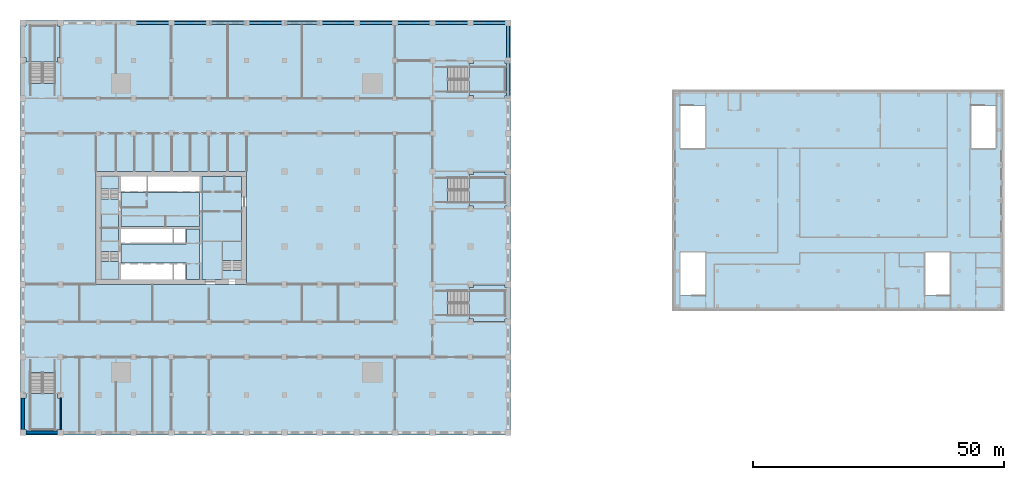
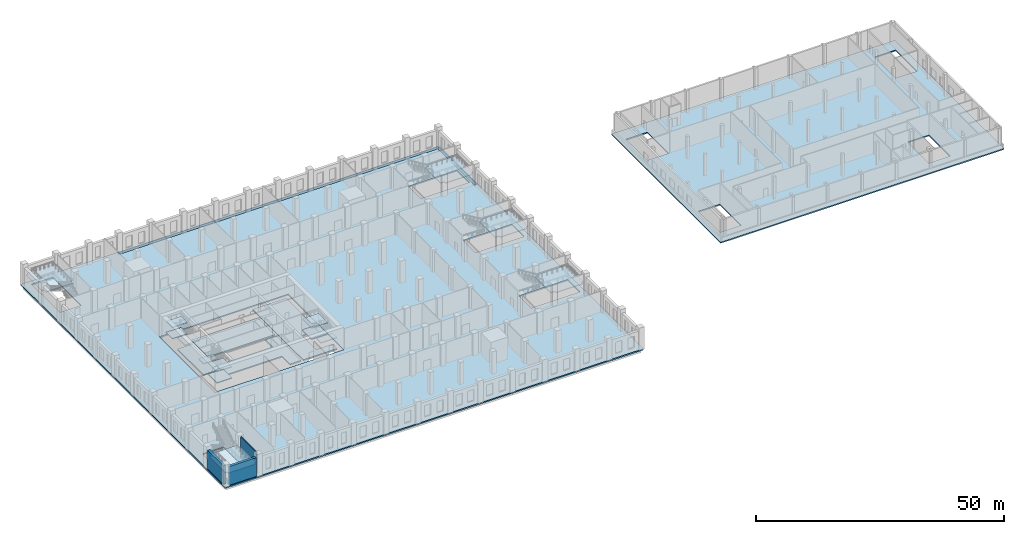
# One storey, part 2 of 25: 20 slabs, 12 beams, 3 walls, 8 elements without a shape of their own.
"""IFC4 building model written with IfcOpenShell, lengths in metres."""

from ifc_helpers import new_model, si_unit, direction, frame, frame_2d, origin, origin_2d, place, context, subcontext, project, spatial, polyline, rectangle, outline, extrude, material, layer, layer_set, material_profile, profile_set, type_object, element, aggregate, save


model = new_model("IFC4")

# Units and contexts
model_context = context("Model", 3, precision=1e-05, world=origin(), true_north=direction((0.0, 1.0)))
body_context = subcontext(model_context, "Body", "Model", "MODEL_VIEW")
ifc_project = project(units=[si_unit("LENGTHUNIT", "METRE"), si_unit("AREAUNIT", "SQUARE_METRE"), si_unit("VOLUMEUNIT", "CUBIC_METRE"), si_unit("PLANEANGLEUNIT", "RADIAN"), si_unit("MASSUNIT", "GRAM", prefix="KILO")], contexts=[model_context])

# Site, building, storey
site_placement = place(None, origin())
site = spatial("IfcSite", under=ifc_project, at=site_placement, CompositionType="ELEMENT")
building_placement = place(site_placement, origin())
building = spatial("IfcBuilding", under=site, at=building_placement, Name="Tamorin Gate", CompositionType="ELEMENT")
storey_placement = place(building_placement, frame((0.0, 0.0, 23.5)))
storey = spatial("IfcBuildingStorey", under=building, at=storey_placement, Name="L04", CompositionType="ELEMENT", Elevation=23.5)

# Beams
ifc_material_1 = material(Name="Concrete C50/60", Category="concrete")
ifc_material_profile = material_profile(ifc_material_1, rectangle(XDim=0.60009765625, YDim=0.89990234375, at=origin_2d()), Name="RC 600x900")
ifc_profile_set = profile_set([ifc_material_profile], Name="Concrete C50/60")
beam_type = type_object("IfcBeamType", Name="RC spandrel 600x900 C50/60", PredefinedType="BEAM", material=ifc_profile_set)
for number, where, z_axis, x_axis, name in (
    (1, (112.0, 97.0, -0.449951171875), (0.0, 1.0, 0.0), (-1.0, 0.0, 0.0), "Spandrel beam L04"),
    (2, (112.0, 104.5, -0.449951171875), (0.0, 1.0, 0.0), (-1.0, 0.0, 0.0), "Spandrel beam L04"),
    (3, (112.0, 112.0, -0.449951171875), (-1.0, 0.0, 0.0), (0.0, -1.0, 0.0), "Spandrel beam L04"),
    (4, (104.5, 112.0, -0.449951171875), (-1.0, 0.0, 0.0), (0.0, -1.0, 0.0), "Spandrel beam L04"),
    (5, (97.0, 112.0, -0.449951171875), (-1.0, 0.0, 0.0), (0.0, -1.0, 0.0), "Spandrel beam L04"),
    (6, (89.5, 112.0, -0.449951171875), (-1.0, 0.0, 0.0), (0.0, -1.0, 0.0), "Spandrel beam L04"),
    (7, (82.0, 112.0, -0.449951171875), (-1.0, 0.0, 0.0), (0.0, -1.0, 0.0), "Spandrel beam L04"),
):
    element("IfcBeam", number, at=place(storey_placement, frame(where, z_axis=z_axis, x_axis=x_axis)), inside=storey, type_object=beam_type, Name=name, PredefinedType="BEAM", context=body_context, shape_type="SweptSolid", body=[
        extrude(rectangle(XDim=0.60009765625, YDim=0.89990234375, at=origin_2d()), origin(), (0.0, 0.0, 1.0), 7.5),
    ])
beam_placement = place(storey_placement, frame((74.5, 112.0, -0.449951171875), z_axis=(-1.0, 0.0, 0.0), x_axis=(0.0, -1.0, 0.0)))
element("IfcBeam", 8, at=beam_placement, inside=storey, type_object=beam_type, Name="Spandrel beam L04", PredefinedType="BEAM", context=body_context, shape_type="SweptSolid", body=[
    extrude(rectangle(XDim=0.60009765625, YDim=0.89990234375, at=origin_2d()), origin(), (0.0, 0.0, 1.0), 7.0),
])
for number, where, z_axis, x_axis, name in (
    (9, (67.5, 112.0, -0.449951171875), (-1.0, 0.0, 0.0), (0.0, -1.0, 0.0), "Spandrel beam L04"),
    (10, (60.0, 112.0, -0.449951171875), (-1.0, 0.0, 0.0), (0.0, -1.0, 0.0), "Spandrel beam L04"),
    (11, (52.5, 112.0, -0.449951171875), (-1.0, 0.0, 0.0), (0.0, -1.0, 0.0), "Spandrel beam L04"),
    (12, (45.0, 112.0, -0.449951171875), (-1.0, 0.0, 0.0), (0.0, -1.0, 0.0), "Spandrel beam L04"),
):
    element("IfcBeam", number, at=place(storey_placement, frame(where, z_axis=z_axis, x_axis=x_axis)), inside=storey, type_object=beam_type, Name=name, PredefinedType="BEAM", context=body_context, shape_type="SweptSolid", body=[
        extrude(rectangle(XDim=0.60009765625, YDim=0.89990234375, at=origin_2d()), origin(), (0.0, 0.0, 1.0), 7.5),
    ])

# Slabs
ifc_material_2 = material(Name="Concrete C40/50", Category="concrete")
ifc_layer_1 = layer(ifc_material_2, 0.300048828125)
ifc_layer_set_1 = layer_set([ifc_layer_1], Name="Core floor slab 300 C40/50")
slab_type_1 = type_object("IfcSlabType", Name="Core floor slab 300 C40/50", PredefinedType="FLOOR", material=ifc_layer_set_1)
slab_1_placement = place(storey_placement, frame((0.0, 0.0, -0.300048828125)))
element("IfcSlab", 13, at=slab_1_placement, inside=storey, type_object=slab_type_1, Name="Core floor L04", PredefinedType="FLOOR", context=body_context, shape_type="SweptSolid", body=[
    extrude(outline(polyline([(59.0, 62.800048828125), (59.0, 61.0), (51.10009765625, 61.0), (51.10009765625, 81.5), (59.0, 81.5), (59.0, 68.5), (55.199951171875, 68.5), (55.199951171875, 62.800048828125), (59.0, 62.800048828125)])), origin(), (0.0, 0.0, 1.0), 0.300048828125),
])
slab_2_placement = place(storey_placement, frame((0.0, 0.0, -0.300048828125)))
element("IfcSlab", 14, at=slab_2_placement, inside=storey, type_object=slab_type_1, Name="Core floor L04", PredefinedType="FLOOR", context=body_context, shape_type="SweptSolid", body=[
    extrude(outline(polyline([(50.60009765625, 61.0), (48.0, 61.0), (48.0, 64.199951171875), (35.0, 64.199951171875), (35.0, 68.050048828125), (48.0, 68.050048828125), (48.0, 71.0), (50.60009765625, 71.0), (50.60009765625, 61.0)])), origin(), (0.0, 0.0, 1.0), 0.300048828125),
])
slab_3_placement = place(storey_placement, frame((0.0, 0.0, -0.300048828125)))
element("IfcSlab", 15, at=slab_3_placement, inside=storey, type_object=slab_type_1, Name="Core floor L04", PredefinedType="FLOOR", context=body_context, shape_type="SweptSolid", body=[
    extrude(outline(polyline([(50.60009765625, 71.5), (35.0, 71.5), (35.0, 78.300048828125), (50.60009765625, 78.300048828125), (50.60009765625, 71.5)])), origin(), (0.0, 0.0, 1.0), 0.300048828125),
])
slab_4_placement = place(storey_placement, frame((0.0, 0.0, -0.300048828125)))
element("IfcSlab", 16, at=slab_4_placement, inside=storey, type_object=slab_type_1, Name="Core floor L04", PredefinedType="FLOOR", context=body_context, shape_type="SweptSolid", body=[
    extrude(outline(polyline([(31.0, 66.5), (31.0, 77.0), (34.5, 77.0), (34.5, 66.5), (31.0, 66.5)])), origin(), (0.0, 0.0, 1.0), 0.300048828125),
])

# Stair, slabs
stair_type_1 = type_object("IfcStairType", Name="Exit stair", PredefinedType="HALF_TURN_STAIR", material=ifc_material_2)
stair_1_placement = place(storey_placement, origin())
stair_1 = element("IfcStair", 17, at=stair_1_placement, inside=storey, type_object=stair_type_1, Name="L04 stair ST1", PredefinedType="HALF_TURN_STAIR")
ifc_layer_2 = layer(ifc_material_2, 0.199951171875)
ifc_layer_set_2 = layer_set([ifc_layer_2], Name="Exit stair landing 200")
slab_type_2 = type_object("IfcSlabType", Name="Exit stair landing 200", PredefinedType="LANDING", material=ifc_layer_set_2)
slab_5_placement = place(storey_placement, frame((0.0, 0.0, 1.175048828125)))
slab_5 = element("IfcSlab", 18, at=slab_5_placement, type_object=slab_type_2, Name="ST1 landing 1", PredefinedType="LANDING", context=body_context, shape_type="SweptSolid", body=[
    extrude(outline(polyline([(31.0, 64.5400390625), (31.0, 61.0), (34.5, 61.0), (34.5, 64.5400390625), (31.0, 64.5400390625)])), origin(), (0.0, 0.0, 1.0), 0.199951171875),
])
slab_6_placement = place(storey_placement, frame((0.0, 0.0, 2.550048828125)))
slab_6 = element("IfcSlab", 19, at=slab_6_placement, type_object=slab_type_2, Name="ST1 landing 2", PredefinedType="LANDING", context=body_context, shape_type="SweptSolid", body=[
    extrude(outline(polyline([(31.0, 68.5), (31.0, 66.5), (34.5, 66.5), (34.5, 68.5), (31.0, 68.5)])), origin(), (0.0, 0.0, 1.0), 0.199951171875),
])
slab_7_placement = place(storey_placement, frame((0.0, 0.0, 3.925048828125)))
slab_7 = element("IfcSlab", 20, at=slab_7_placement, type_object=slab_type_2, Name="ST1 landing 3", PredefinedType="LANDING", context=body_context, shape_type="SweptSolid", body=[
    extrude(outline(polyline([(31.0, 64.5400390625), (31.0, 61.0), (34.5, 61.0), (34.5, 64.5400390625), (31.0, 64.5400390625)])), origin(), (0.0, 0.0, 1.0), 0.199951171875),
])
aggregate(stair_1, [slab_5, slab_6, slab_7])

stair_2_placement = place(storey_placement, origin())
stair_2 = element("IfcStair", 21, at=stair_2_placement, inside=storey, type_object=stair_type_1, Name="L04 stair ST2", PredefinedType="HALF_TURN_STAIR")
slab_8_placement = place(storey_placement, frame((0.0, 0.0, 1.175048828125)))
slab_8 = element("IfcSlab", 22, at=slab_8_placement, type_object=slab_type_2, Name="ST2 landing 1", PredefinedType="LANDING", context=body_context, shape_type="SweptSolid", body=[
    extrude(outline(polyline([(34.5, 78.9599609375), (34.5, 81.5), (31.0, 81.5), (31.0, 78.9599609375), (34.5, 78.9599609375)])), origin(), (0.0, 0.0, 1.0), 0.199951171875),
])
slab_9_placement = place(storey_placement, frame((0.0, 0.0, 2.550048828125)))
slab_9 = element("IfcSlab", 23, at=slab_9_placement, type_object=slab_type_2, Name="ST2 landing 2", PredefinedType="LANDING", context=body_context, shape_type="SweptSolid", body=[
    extrude(outline(polyline([(34.5, 74.0), (34.5, 77.0), (31.0, 77.0), (31.0, 74.0), (34.5, 74.0)])), origin(), (0.0, 0.0, 1.0), 0.199951171875),
])
slab_10_placement = place(storey_placement, frame((0.0, 0.0, 3.925048828125)))
slab_10 = element("IfcSlab", 24, at=slab_10_placement, type_object=slab_type_2, Name="ST2 landing 3", PredefinedType="LANDING", context=body_context, shape_type="SweptSolid", body=[
    extrude(outline(polyline([(34.5, 78.9599609375), (34.5, 81.5), (31.0, 81.5), (31.0, 78.9599609375), (34.5, 78.9599609375)])), origin(), (0.0, 0.0, 1.0), 0.199951171875),
])
aggregate(stair_2, [slab_8, slab_9, slab_10])

stair_3_placement = place(storey_placement, origin())
stair_3 = element("IfcStair", 25, at=stair_3_placement, inside=storey, type_object=stair_type_1, Name="L04 stair ST3", PredefinedType="HALF_TURN_STAIR")
slab_11_placement = place(storey_placement, frame((0.0, 0.0, 1.175048828125)))
slab_11 = element("IfcSlab", 26, at=slab_11_placement, type_object=slab_type_2, Name="ST3 landing 1", PredefinedType="LANDING", context=body_context, shape_type="SweptSolid", body=[
    extrude(outline(polyline([(59.0, 64.760009765625), (59.0, 68.5), (55.199951171875, 68.5), (55.199951171875, 64.760009765625), (59.0, 64.760009765625)])), origin(), (0.0, 0.0, 1.0), 0.199951171875),
])
slab_12_placement = place(storey_placement, frame((0.0, 0.0, 2.550048828125)))
slab_12 = element("IfcSlab", 27, at=slab_12_placement, type_object=slab_type_2, Name="ST3 landing 2", PredefinedType="LANDING", context=body_context, shape_type="SweptSolid", body=[
    extrude(outline(polyline([(59.0, 61.0), (59.0, 62.800048828125), (55.199951171875, 62.800048828125), (55.199951171875, 61.0), (59.0, 61.0)])), origin(), (0.0, 0.0, 1.0), 0.199951171875),
])
slab_13_placement = place(storey_placement, frame((0.0, 0.0, 3.925048828125)))
slab_13 = element("IfcSlab", 28, at=slab_13_placement, type_object=slab_type_2, Name="ST3 landing 3", PredefinedType="LANDING", context=body_context, shape_type="SweptSolid", body=[
    extrude(outline(polyline([(59.0, 64.760009765625), (59.0, 68.5), (55.199951171875, 68.5), (55.199951171875, 64.760009765625), (59.0, 64.760009765625)])), origin(), (0.0, 0.0, 1.0), 0.199951171875),
])
aggregate(stair_3, [slab_11, slab_12, slab_13])

# Slabs
ifc_layer_3 = layer(ifc_material_2, 0.300048828125)
ifc_layer_set_3 = layer_set([ifc_layer_3], Name="Museum floor slab 300 C40/50")
slab_type_3 = type_object("IfcSlabType", Name="Museum floor slab 300 C40/50", PredefinedType="FLOOR", material=ifc_layer_set_3)
slab_14_placement = place(storey_placement, frame((0.0, 0.0, -0.300048828125)))
element("IfcSlab", 29, at=slab_14_placement, inside=storey, type_object=slab_type_3, Name="Museum floor slab", PredefinedType="FLOOR", context=body_context, shape_type="SweptSolid", body=[
    extrude(outline(polyline([(144.699951171875, 54.699951171875), (144.699951171875, 98.699951171875), (210.699951171875, 98.699951171875), (210.699951171875, 54.699951171875), (144.699951171875, 54.699951171875)]), holes=[polyline([(146.300537109375, 57.800537109375), (151.24951171875, 57.800537109375), (151.24951171875, 66.359375), (146.300537109375, 66.359375), (146.300537109375, 57.800537109375)]), polyline([(195.00048828125, 57.800537109375), (199.949462890625, 57.800537109375), (199.949462890625, 66.359375), (195.00048828125, 66.359375), (195.00048828125, 57.800537109375)]), polyline([(151.24951171875, 95.599365234375), (146.300537109375, 95.599365234375), (146.300537109375, 87.04052734375), (151.24951171875, 87.04052734375), (151.24951171875, 95.599365234375)]), polyline([(209.099365234375, 95.599365234375), (204.150634765625, 95.599365234375), (204.150634765625, 87.04052734375), (209.099365234375, 87.04052734375), (209.099365234375, 95.599365234375)])]), origin(), (0.0, 0.0, 1.0), 0.300048828125),
])
ifc_material_3 = material(Name="Concrete C45/55", Category="concrete")
ifc_layer_4 = layer(ifc_material_3, 0.300048828125)
ifc_layer_set_4 = layer_set([ifc_layer_4], Name="Podium slab 300 C45/55")
slab_type_4 = type_object("IfcSlabType", Name="Podium slab 300 C45/55", PredefinedType="FLOOR", material=ifc_layer_set_4)
slab_15_placement = place(storey_placement, frame((0.0, 0.0, -0.300048828125)))
element("IfcSlab", 30, at=slab_15_placement, inside=storey, type_object=slab_type_4, Name="Podium L04", PredefinedType="FLOOR", context=body_context, shape_type="SweptSolid", body=[
    extrude(outline(polyline([(15.0, 30.0), (112.5, 30.0), (112.5, 112.5), (15.0, 112.5), (15.0, 30.0)]), holes=[polyline([(60.0, 60.0), (60.0, 82.5), (30.0, 82.5), (30.0, 60.0), (60.0, 60.0)]), polyline([(16.925537109375, 42.49951171875), (21.87451171875, 42.49951171875), (21.87451171875, 31.1005859375), (16.925537109375, 31.1005859375), (16.925537109375, 42.49951171875)]), polyline([(21.87451171875, 100.00048828125), (16.925537109375, 100.00048828125), (16.925537109375, 111.3994140625), (21.87451171875, 111.3994140625), (21.87451171875, 100.00048828125)]), polyline([(100.00048828125, 53.775390625), (100.00048828125, 58.724609375), (111.3994140625, 58.724609375), (111.3994140625, 53.775390625), (100.00048828125, 53.775390625)]), polyline([(100.00048828125, 98.275390625), (100.00048828125, 103.224609375), (111.3994140625, 103.224609375), (111.3994140625, 98.275390625), (100.00048828125, 98.275390625)]), polyline([(100.00048828125, 76.275390625), (100.00048828125, 81.224609375), (111.3994140625, 81.224609375), (111.3994140625, 76.275390625), (100.00048828125, 76.275390625)])]), origin(), (0.0, 0.0, 1.0), 0.300048828125),
])

# Stair, slab
ifc_material_4 = material(Name="Reinforced concrete C32/40", Category="concrete")
stair_type_2 = type_object("IfcStairType", Name="Podium stair PS", PredefinedType="HALF_TURN_STAIR", material=ifc_material_4)
stair_4_placement = place(storey_placement, origin())
stair_4 = element("IfcStair", 31, at=stair_4_placement, inside=storey, type_object=stair_type_2, Name="L04 Podium stair PS1", PredefinedType="HALF_TURN_STAIR")
ifc_layer_5 = layer(ifc_material_4, 0.199951171875)
ifc_layer_set_5 = layer_set([ifc_layer_5], Name="Stair landing 200")
slab_type_5 = type_object("IfcSlabType", Name="Stair landing 200", PredefinedType="LANDING", material=ifc_layer_set_5)
slab_16_placement = place(storey_placement, frame((0.0, 0.0, 2.550048828125)))
slab_16 = element("IfcSlab", 32, at=slab_16_placement, type_object=slab_type_5, Name="PS1 landing 1", PredefinedType="LANDING", context=body_context, shape_type="SweptSolid", body=[
    extrude(outline(polyline([(22.39990234375, 31.10009765625), (22.39990234375, 30.64990234375), (16.10009765625, 30.64990234375), (16.10009765625, 31.10009765625), (15.64990234375, 31.10009765625), (15.64990234375, 37.39990234375), (16.10009765625, 37.39990234375), (16.10009765625, 38.300048828125), (22.39990234375, 38.300048828125), (22.39990234375, 37.39990234375), (22.89990234375, 37.39990234375), (22.89990234375, 31.10009765625), (22.39990234375, 31.10009765625)])), origin(), (0.0, 0.0, 1.0), 0.199951171875),
])
aggregate(stair_4, [slab_16])

stair_5_placement = place(storey_placement, origin())
stair_5 = element("IfcStair", 33, at=stair_5_placement, inside=storey, type_object=stair_type_2, Name="L04 Podium stair PS2", PredefinedType="HALF_TURN_STAIR")
slab_17_placement = place(storey_placement, frame((0.0, 0.0, 2.550048828125)))
slab_17 = element("IfcSlab", 34, at=slab_17_placement, type_object=slab_type_5, Name="PS2 landing 1", PredefinedType="LANDING", context=body_context, shape_type="SweptSolid", body=[
    extrude(outline(polyline([(22.39990234375, 105.10009765625), (22.39990234375, 104.199951171875), (16.10009765625, 104.199951171875), (16.10009765625, 105.10009765625), (15.64990234375, 105.10009765625), (15.64990234375, 111.39990234375), (16.10009765625, 111.39990234375), (16.10009765625, 111.85009765625), (22.39990234375, 111.85009765625), (22.39990234375, 111.39990234375), (22.89990234375, 111.39990234375), (22.89990234375, 105.10009765625), (22.39990234375, 105.10009765625)])), origin(), (0.0, 0.0, 1.0), 0.199951171875),
])
aggregate(stair_5, [slab_17])

stair_6_placement = place(storey_placement, origin())
stair_6 = element("IfcStair", 35, at=stair_6_placement, inside=storey, type_object=stair_type_2, Name="L04 Podium stair PS3", PredefinedType="HALF_TURN_STAIR")
slab_18_placement = place(storey_placement, frame((0.0, 0.0, 2.550048828125)))
slab_18 = element("IfcSlab", 36, at=slab_18_placement, type_object=slab_type_5, Name="PS3 landing 1", PredefinedType="LANDING", context=body_context, shape_type="SweptSolid", body=[
    extrude(outline(polyline([(111.39990234375, 53.10009765625), (111.39990234375, 52.60009765625), (105.10009765625, 52.60009765625), (105.10009765625, 53.10009765625), (104.199951171875, 53.10009765625), (104.199951171875, 59.39990234375), (105.10009765625, 59.39990234375), (105.10009765625, 59.89990234375), (111.39990234375, 59.89990234375), (111.39990234375, 59.39990234375), (111.85009765625, 59.39990234375), (111.85009765625, 53.10009765625), (111.39990234375, 53.10009765625)])), origin(), (0.0, 0.0, 1.0), 0.199951171875),
])
aggregate(stair_6, [slab_18])

stair_7_placement = place(storey_placement, origin())
stair_7 = element("IfcStair", 37, at=stair_7_placement, inside=storey, type_object=stair_type_2, Name="L04 Podium stair PS4", PredefinedType="HALF_TURN_STAIR")
slab_19_placement = place(storey_placement, frame((0.0, 0.0, 2.550048828125)))
slab_19 = element("IfcSlab", 38, at=slab_19_placement, type_object=slab_type_5, Name="PS4 landing 1", PredefinedType="LANDING", context=body_context, shape_type="SweptSolid", body=[
    extrude(outline(polyline([(111.39990234375, 97.60009765625), (111.39990234375, 97.10009765625), (105.10009765625, 97.10009765625), (105.10009765625, 97.60009765625), (104.199951171875, 97.60009765625), (104.199951171875, 103.89990234375), (105.10009765625, 103.89990234375), (105.10009765625, 104.39990234375), (111.39990234375, 104.39990234375), (111.39990234375, 103.89990234375), (111.85009765625, 103.89990234375), (111.85009765625, 97.60009765625), (111.39990234375, 97.60009765625)])), origin(), (0.0, 0.0, 1.0), 0.199951171875),
])
aggregate(stair_7, [slab_19])

stair_8_placement = place(storey_placement, origin())
stair_8 = element("IfcStair", 39, at=stair_8_placement, inside=storey, type_object=stair_type_2, Name="L04 Podium stair PS5", PredefinedType="HALF_TURN_STAIR")
slab_20_placement = place(storey_placement, frame((0.0, 0.0, 2.550048828125)))
slab_20 = element("IfcSlab", 40, at=slab_20_placement, type_object=slab_type_5, Name="PS5 landing 1", PredefinedType="LANDING", context=body_context, shape_type="SweptSolid", body=[
    extrude(outline(polyline([(111.39990234375, 75.60009765625), (111.39990234375, 75.10009765625), (105.10009765625, 75.10009765625), (105.10009765625, 75.60009765625), (104.199951171875, 75.60009765625), (104.199951171875, 81.89990234375), (105.10009765625, 81.89990234375), (105.10009765625, 82.39990234375), (111.39990234375, 82.39990234375), (111.39990234375, 81.89990234375), (111.85009765625, 81.89990234375), (111.85009765625, 75.60009765625), (111.39990234375, 75.60009765625)])), origin(), (0.0, 0.0, 1.0), 0.199951171875),
])
aggregate(stair_8, [slab_20])

# Walls
ifc_material_5 = material(Name="Precast concrete C40/50", Category="concrete")
ifc_layer_6 = layer(ifc_material_5, 0.60009765625)
ifc_layer_set_6 = layer_set([ifc_layer_6], Name="Precast concrete C40/50")
wall_type_1 = type_object("IfcWallType", Name="Precast plinth wall 600", PredefinedType="PARTITIONING", material=ifc_layer_set_6)
for number, where, z_axis, x_axis, name in (
    (41, (16.10009765625, 30.5, 0.0), (0.0, 0.0, 1.0), (1.0, 0.0, 0.0), "Precast plinth wall 600 L04"),
    (42, (15.5, 31.10009765625, 0.0), (0.0, 0.0, 1.0), (0.0, 1.0, 0.0), "Precast plinth wall 600 L04"),
):
    element("IfcWall", number, at=place(storey_placement, frame(where, z_axis=z_axis, x_axis=x_axis)), inside=storey, type_object=wall_type_1, Name=name, PredefinedType="PARTITIONING", context=body_context, shape_type="SweptSolid", body=[
        extrude(rectangle(XDim=6.2998046875, YDim=0.60009765625, at=frame_2d((3.14990234375, 0.0))), origin(), (0.0, 0.0, 1.0), 4.60009765625),
    ])
ifc_layer_7 = layer(ifc_material_2, 0.199951171875)
ifc_layer_set_7 = layer_set([ifc_layer_7], Name="Stair enclosure 200")
wall_type_2 = type_object("IfcWallType", Name="Stair enclosure 200", PredefinedType="SHEAR", material=ifc_layer_set_7)
wall_placement = place(storey_placement, frame((23.0, 31.10009765625, 0.0), z_axis=(0.0, 0.0, 1.0), x_axis=(0.0, 1.0, 0.0)))
element("IfcWall", 43, at=wall_placement, inside=storey, type_object=wall_type_2, Name="Stair enclosure 200 L04", PredefinedType="SHEAR", context=body_context, shape_type="SweptSolid", body=[
    extrude(rectangle(XDim=6.2998046875, YDim=0.199951171875, at=frame_2d((3.14990234375, 0.0))), origin(), (0.0, 0.0, 1.0), 5.199951171875),
])

save(model, "model.ifc")
